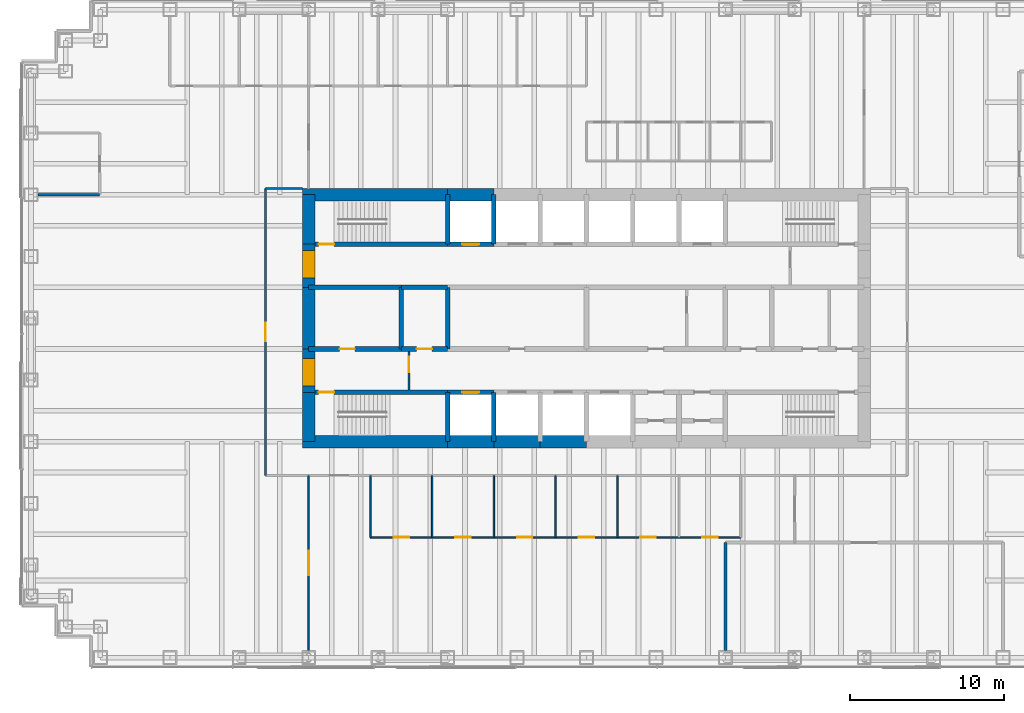
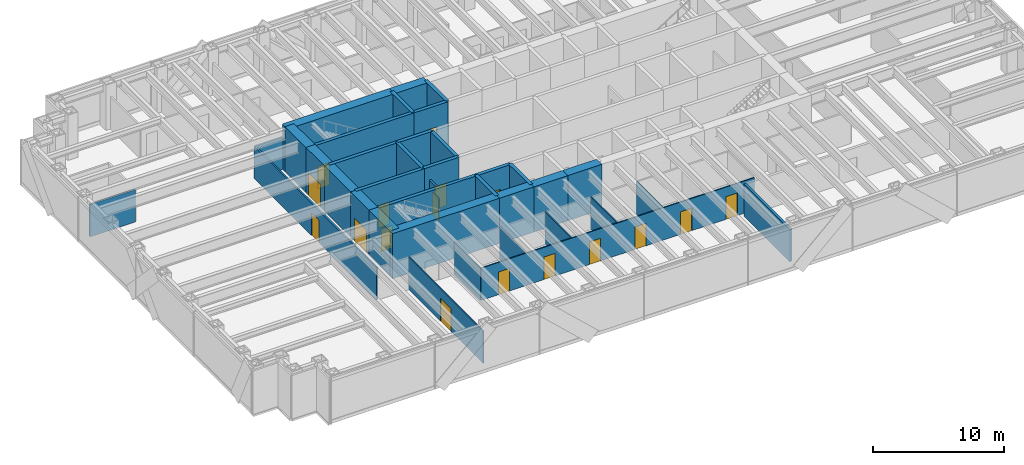
# One storey, part 10 of 14: 37 walls, 17 doors, 17 openings.
"""IFC4 building model written with IfcOpenShell, lengths in metres."""

from ifc_helpers import new_model, si_unit, direction, frame, frame_2d, origin, place, context, subcontext, project, spatial, rectangle, extrude, material, layer, layer_set, type_object, element, fill, save


model = new_model("IFC4")

# Units and contexts
model_context = context("Model", 3, precision=1e-05, world=origin(), true_north=direction((0.0, 1.0)))
body_context = subcontext(model_context, "Body", "Model", "MODEL_VIEW")
ifc_project = project(units=[si_unit("LENGTHUNIT", "METRE"), si_unit("AREAUNIT", "SQUARE_METRE"), si_unit("VOLUMEUNIT", "CUBIC_METRE"), si_unit("PLANEANGLEUNIT", "RADIAN"), si_unit("MASSUNIT", "GRAM", prefix="KILO")], contexts=[model_context])

# Site, building, storey
site_placement = place(None, origin())
site = spatial("IfcSite", under=ifc_project, at=site_placement, CompositionType="ELEMENT")
building_placement = place(site_placement, origin())
building = spatial("IfcBuilding", under=site, at=building_placement, Name="Rheinbord Bourse Tower", CompositionType="ELEMENT")
storey_placement = place(building_placement, frame((0.0, 0.0, 253.0)))
storey = spatial("IfcBuildingStorey", under=building, at=storey_placement, Name="L57", CompositionType="ELEMENT", Elevation=253.0)

# Wall
ifc_material_1 = material(Name="Acoustic gypsum board partition", Category="gypsum board")
ifc_layer_1 = layer(ifc_material_1, 0.199951171875)
ifc_layer_set_1 = layer_set([ifc_layer_1], Name="ACOUSTIC PARTITION 200")
wall_type_1 = type_object("IfcWallType", Name="ACOUSTIC PARTITION 200", PredefinedType="PARTITIONING", material=ifc_layer_set_1)
wall_1_placement = place(storey_placement, frame((45.0, 2.449951171875, 0.0), z_axis=(0.0, 0.0, 1.0), x_axis=(0.0, 1.0, 0.0)))
element("IfcWall", 1, at=wall_1_placement, inside=storey, type_object=wall_type_1, Name="Partition L57-37", PredefinedType="PARTITIONING", context=body_context, shape_type="SweptSolid", body=[
    extrude(rectangle(XDim=7.0, YDim=0.199951171875, at=frame_2d((3.5, 0.0))), origin(), (0.0, 0.0, 1.0), 3.0),
])

# Wall, opening, door
ifc_material_2 = material(Name="Concrete C50/60", Category="concrete")
ifc_layer_2 = layer(ifc_material_2, 0.300048828125)
ifc_layer_set_2 = layer_set([ifc_layer_2], Name="CORE INNER WALL 300")
wall_type_2 = type_object("IfcWallType", Name="CORE INNER WALL 300", PredefinedType="SOLIDWALL", material=ifc_layer_set_2)
wall_2_placement = place(storey_placement, frame((18.0, 19.199951171875, 0.0), z_axis=(0.0, 0.0, 1.0), x_axis=(1.0, 0.0, 0.0)))
wall_2 = element("IfcWall", 2, at=wall_2_placement, inside=storey, type_object=wall_type_2, Name="Core wall A1 L57", PredefinedType="SOLIDWALL", context=body_context, shape_type="SweptSolid", body=[
    extrude(rectangle(XDim=9.0, YDim=0.300048828125, at=frame_2d((4.5, 0.0))), origin(), (0.0, 0.0, 1.0), 4.199951171875),
])
opening_1_placement = place(wall_2_placement, frame((0.64990234375, 0.0, 0.0)))
opening_1 = element("IfcOpeningElement", 3, at=opening_1_placement, cuts=wall_2, Name="Opening 5710", PredefinedType="OPENING", context=body_context, shape_type="SweptSolid", body=[
    extrude(rectangle(XDim=1.0, YDim=2.10009765625, at=frame_2d((0.5, 1.050048828125))), frame((0.0, 0.159912109375, 0.0), z_axis=(0.0, -1.0, 0.0), x_axis=(1.0, 0.0, 0.0)), (0.0, 0.0, 1.0), 0.320068359375),
])
ifc_material_3 = material(Name="Steel door", Category="steel")
door_type_1 = type_object("IfcDoorType", Name="DOOR 1000 EI30", OperationType="SINGLE_SWING_LEFT", PredefinedType="DOOR", material=ifc_material_3)
door_1_placement = place(opening_1_placement, origin())
door_1 = element("IfcDoor", 4, at=door_1_placement, inside=storey, type_object=door_type_1, Name="Stair door ST1 L57", OperationType="SINGLE_SWING_LEFT", OverallHeight=2.10009765625, OverallWidth=1.0, PredefinedType="DOOR", context=body_context, shape_type="SweptSolid", body=[
    extrude(rectangle(XDim=1.0, YDim=2.10009765625, at=frame_2d((0.5, 1.050048828125))), frame((0.0, 0.02490234375, 0.0), z_axis=(0.0, -1.0, 0.0), x_axis=(1.0, 0.0, 0.0)), (0.0, 0.0, 1.0), 0.050048828125),
])
fill(opening_1, door_1)

wall_3_placement = place(storey_placement, frame((27.0, 19.199951171875, 0.0), z_axis=(0.0, 0.0, 1.0), x_axis=(1.0, 0.0, 0.0)))
wall_3 = element("IfcWall", 5, at=wall_3_placement, inside=storey, type_object=wall_type_2, Name="Core wall A2 L57", PredefinedType="SOLIDWALL", context=body_context, shape_type="SweptSolid", body=[
    extrude(rectangle(XDim=3.0, YDim=0.300048828125, at=frame_2d((1.5, 0.0))), origin(), (0.0, 0.0, 1.0), 4.199951171875),
])
opening_2_placement = place(wall_3_placement, frame((0.949951171875, 0.0, 0.0)))
opening_2 = element("IfcOpeningElement", 6, at=opening_2_placement, cuts=wall_3, Name="Opening FL1", PredefinedType="OPENING", context=body_context, shape_type="SweptSolid", body=[
    extrude(rectangle(XDim=1.10009765625, YDim=2.199951171875, at=frame_2d((0.550048828125, 1.10009765625))), frame((0.0, 0.159912109375, 0.0), z_axis=(0.0, -1.0, 0.0), x_axis=(1.0, 0.0, 0.0)), (0.0, 0.0, 1.0), 0.320068359375),
])
ifc_material_4 = material(Name="Steel landing door", Category="steel")
door_type_2 = type_object("IfcDoorType", Name="LIFT LANDING DOOR 1100", OperationType="DOUBLE_DOOR_SLIDING", PredefinedType="USERDEFINED", material=ifc_material_4)
door_2_placement = place(opening_2_placement, origin())
door_2 = element("IfcDoor", 7, at=door_2_placement, inside=storey, type_object=door_type_2, Name="Lift landing door FL1 L57", ObjectType="LIFT LANDING DOOR", OperationType="DOUBLE_DOOR_SLIDING", OverallHeight=2.199951171875, OverallWidth=1.10009765625, PredefinedType="USERDEFINED", context=body_context, shape_type="SweptSolid", body=[
    extrude(rectangle(XDim=1.10009765625, YDim=2.199951171875, at=frame_2d((0.550048828125, 1.10009765625))), frame((0.0, 0.02490234375, 0.0), z_axis=(0.0, -1.0, 0.0), x_axis=(1.0, 0.0, 0.0)), (0.0, 0.0, 1.0), 0.050048828125),
])
fill(opening_2, door_2)

wall_4_placement = place(storey_placement, frame((18.0, 28.800048828125, 0.0), z_axis=(0.0, 0.0, 1.0), x_axis=(1.0, 0.0, 0.0)))
wall_4 = element("IfcWall", 8, at=wall_4_placement, inside=storey, type_object=wall_type_2, Name="Core wall B1 L57", PredefinedType="SOLIDWALL", context=body_context, shape_type="SweptSolid", body=[
    extrude(rectangle(XDim=9.0, YDim=0.300048828125, at=frame_2d((4.5, 0.0))), origin(), (0.0, 0.0, 1.0), 4.199951171875),
])
opening_3_placement = place(wall_4_placement, frame((0.64990234375, 0.0, 0.0)))
opening_3 = element("IfcOpeningElement", 9, at=opening_3_placement, cuts=wall_4, Name="Opening 5720", PredefinedType="OPENING", context=body_context, shape_type="SweptSolid", body=[
    extrude(rectangle(XDim=1.0, YDim=2.10009765625, at=frame_2d((0.5, 1.050048828125))), frame((0.0, 0.159912109375, 0.0), z_axis=(0.0, -1.0, 0.0), x_axis=(1.0, 0.0, 0.0)), (0.0, 0.0, 1.0), 0.320068359375),
])
door_3_placement = place(opening_3_placement, origin())
door_3 = element("IfcDoor", 10, at=door_3_placement, inside=storey, type_object=door_type_1, Name="Stair door ST2 L57", OperationType="SINGLE_SWING_LEFT", OverallHeight=2.10009765625, OverallWidth=1.0, PredefinedType="DOOR", context=body_context, shape_type="SweptSolid", body=[
    extrude(rectangle(XDim=1.0, YDim=2.10009765625, at=frame_2d((0.5, 1.050048828125))), frame((0.0, 0.02490234375, 0.0), z_axis=(0.0, -1.0, 0.0), x_axis=(1.0, 0.0, 0.0)), (0.0, 0.0, 1.0), 0.050048828125),
])
fill(opening_3, door_3)

wall_5_placement = place(storey_placement, frame((27.0, 28.800048828125, 0.0), z_axis=(0.0, 0.0, 1.0), x_axis=(1.0, 0.0, 0.0)))
wall_5 = element("IfcWall", 11, at=wall_5_placement, inside=storey, type_object=wall_type_2, Name="Core wall B2 L57", PredefinedType="SOLIDWALL", context=body_context, shape_type="SweptSolid", body=[
    extrude(rectangle(XDim=3.0, YDim=0.300048828125, at=frame_2d((1.5, 0.0))), origin(), (0.0, 0.0, 1.0), 4.199951171875),
])
opening_4_placement = place(wall_5_placement, frame((0.949951171875, 0.0, 0.0)))
opening_4 = element("IfcOpeningElement", 12, at=opening_4_placement, cuts=wall_5, Name="Opening GL1", PredefinedType="OPENING", context=body_context, shape_type="SweptSolid", body=[
    extrude(rectangle(XDim=1.10009765625, YDim=2.199951171875, at=frame_2d((0.550048828125, 1.10009765625))), frame((0.0, 0.159912109375, 0.0), z_axis=(0.0, -1.0, 0.0), x_axis=(1.0, 0.0, 0.0)), (0.0, 0.0, 1.0), 0.320068359375),
])
door_4_placement = place(opening_4_placement, origin())
door_4 = element("IfcDoor", 13, at=door_4_placement, inside=storey, type_object=door_type_2, Name="Lift landing door GL1 L57", ObjectType="LIFT LANDING DOOR", OperationType="DOUBLE_DOOR_SLIDING", OverallHeight=2.199951171875, OverallWidth=1.10009765625, PredefinedType="USERDEFINED", context=body_context, shape_type="SweptSolid", body=[
    extrude(rectangle(XDim=1.10009765625, YDim=2.199951171875, at=frame_2d((0.550048828125, 1.10009765625))), frame((0.0, 0.02490234375, 0.0), z_axis=(0.0, -1.0, 0.0), x_axis=(1.0, 0.0, 0.0)), (0.0, 0.0, 1.0), 0.050048828125),
])
fill(opening_4, door_4)

wall_6_placement = place(storey_placement, frame((18.0, 22.0, 0.0), z_axis=(0.0, 0.0, 1.0), x_axis=(1.0, 0.0, 0.0)))
wall_6 = element("IfcWall", 14, at=wall_6_placement, inside=storey, type_object=wall_type_2, Name="Core wall C1 L57", PredefinedType="SOLIDWALL", context=body_context, shape_type="SweptSolid", body=[
    extrude(rectangle(XDim=6.0, YDim=0.300048828125, at=frame_2d((3.0, 0.0))), origin(), (0.0, 0.0, 1.0), 4.199951171875),
])
opening_5_placement = place(wall_6_placement, frame((2.0, 0.0, 0.0)))
opening_5 = element("IfcOpeningElement", 15, at=opening_5_placement, cuts=wall_6, Name="Opening 57R1", PredefinedType="OPENING", context=body_context, shape_type="SweptSolid", body=[
    extrude(rectangle(XDim=1.0, YDim=2.10009765625, at=frame_2d((0.5, 1.050048828125))), frame((0.0, 0.159912109375, 0.0), z_axis=(0.0, -1.0, 0.0), x_axis=(1.0, 0.0, 0.0)), (0.0, 0.0, 1.0), 0.320068359375),
])
ifc_material_5 = material(Name="Timber door", Category="wood")
door_type_3 = type_object("IfcDoorType", Name="DOOR 1000 WC", OperationType="SINGLE_SWING_LEFT", PredefinedType="DOOR", material=ifc_material_5)
door_5_placement = place(opening_5_placement, origin())
door_5 = element("IfcDoor", 16, at=door_5_placement, inside=storey, type_object=door_type_3, Name="WC men door L57", OperationType="SINGLE_SWING_LEFT", OverallHeight=2.10009765625, OverallWidth=1.0, PredefinedType="DOOR", context=body_context, shape_type="SweptSolid", body=[
    extrude(rectangle(XDim=1.0, YDim=2.10009765625, at=frame_2d((0.5, 1.050048828125))), frame((0.0, 0.02490234375, 0.0), z_axis=(0.0, -1.0, 0.0), x_axis=(1.0, 0.0, 0.0)), (0.0, 0.0, 1.0), 0.050048828125),
])
fill(opening_5, door_5)

wall_7_placement = place(storey_placement, frame((24.0, 22.0, 0.0), z_axis=(0.0, 0.0, 1.0), x_axis=(1.0, 0.0, 0.0)))
wall_7 = element("IfcWall", 17, at=wall_7_placement, inside=storey, type_object=wall_type_2, Name="Core wall C2 L57", PredefinedType="SOLIDWALL", context=body_context, shape_type="SweptSolid", body=[
    extrude(rectangle(XDim=3.0, YDim=0.300048828125, at=frame_2d((1.5, 0.0))), origin(), (0.0, 0.0, 1.0), 4.199951171875),
])
opening_6_placement = place(wall_7_placement, frame((1.0, 0.0, 0.0)))
opening_6 = element("IfcOpeningElement", 18, at=opening_6_placement, cuts=wall_7, Name="Opening 57R2", PredefinedType="OPENING", context=body_context, shape_type="SweptSolid", body=[
    extrude(rectangle(XDim=1.0, YDim=2.10009765625, at=frame_2d((0.5, 1.050048828125))), frame((0.0, 0.159912109375, 0.0), z_axis=(0.0, -1.0, 0.0), x_axis=(1.0, 0.0, 0.0)), (0.0, 0.0, 1.0), 0.320068359375),
])
door_6_placement = place(opening_6_placement, origin())
door_6 = element("IfcDoor", 19, at=door_6_placement, inside=storey, type_object=door_type_1, Name="First aid room door L57", OperationType="SINGLE_SWING_LEFT", OverallHeight=2.10009765625, OverallWidth=1.0, PredefinedType="DOOR", context=body_context, shape_type="SweptSolid", body=[
    extrude(rectangle(XDim=1.0, YDim=2.10009765625, at=frame_2d((0.5, 1.050048828125))), frame((0.0, 0.02490234375, 0.0), z_axis=(0.0, -1.0, 0.0), x_axis=(1.0, 0.0, 0.0)), (0.0, 0.0, 1.0), 0.050048828125),
])
fill(opening_6, door_6)

# Walls
wall_8_placement = place(storey_placement, frame((18.0, 26.0, 0.0), z_axis=(0.0, 0.0, 1.0), x_axis=(1.0, 0.0, 0.0)))
element("IfcWall", 20, at=wall_8_placement, inside=storey, type_object=wall_type_2, Name="Core wall D1 L57", PredefinedType="SOLIDWALL", context=body_context, shape_type="SweptSolid", body=[
    extrude(rectangle(XDim=6.0, YDim=0.300048828125, at=frame_2d((3.0, 0.0))), origin(), (0.0, 0.0, 1.0), 4.199951171875),
])
wall_9_placement = place(storey_placement, frame((24.0, 26.0, 0.0), z_axis=(0.0, 0.0, 1.0), x_axis=(1.0, 0.0, 0.0)))
element("IfcWall", 21, at=wall_9_placement, inside=storey, type_object=wall_type_2, Name="Core wall D2 L57", PredefinedType="SOLIDWALL", context=body_context, shape_type="SweptSolid", body=[
    extrude(rectangle(XDim=3.0, YDim=0.300048828125, at=frame_2d((1.5, 0.0))), origin(), (0.0, 0.0, 1.0), 4.199951171875),
])
for number, where, z_axis, x_axis, name in (
    (22, (27.0, 16.0, 0.0), (0.0, 0.0, 1.0), (0.0, 1.0, 0.0), "Core wall SX27 L57"),
    (23, (27.0, 28.800048828125, 0.0), (0.0, 0.0, 1.0), (0.0, 1.0, 0.0), "Core wall NX27 L57"),
    (24, (30.0, 16.0, 0.0), (0.0, 0.0, 1.0), (0.0, 1.0, 0.0), "Core wall SX30 L57"),
    (25, (30.0, 28.800048828125, 0.0), (0.0, 0.0, 1.0), (0.0, 1.0, 0.0), "Core wall NX30 L57"),
):
    element("IfcWall", number, at=place(storey_placement, frame(where, z_axis=z_axis, x_axis=x_axis)), inside=storey, type_object=wall_type_2, Name=name, PredefinedType="SOLIDWALL", context=body_context, shape_type="SweptSolid", body=[
        extrude(rectangle(XDim=3.199951171875, YDim=0.300048828125, at=frame_2d((1.60009765625, 0.0))), origin(), (0.0, 0.0, 1.0), 4.199951171875),
    ])
for number, where, z_axis, x_axis, name in (
    (26, (24.0, 22.0, 0.0), (0.0, 0.0, 1.0), (0.0, 1.0, 0.0), "Core wall MX24 L57"),
    (27, (27.0, 22.0, 0.0), (0.0, 0.0, 1.0), (0.0, 1.0, 0.0), "Core wall MX27 L57"),
):
    element("IfcWall", number, at=place(storey_placement, frame(where, z_axis=z_axis, x_axis=x_axis)), inside=storey, type_object=wall_type_2, Name=name, PredefinedType="SOLIDWALL", context=body_context, shape_type="SweptSolid", body=[
        extrude(rectangle(XDim=4.0, YDim=0.300048828125, at=frame_2d((2.0, 0.0))), origin(), (0.0, 0.0, 1.0), 4.199951171875),
    ])

# Wall, opening, door
ifc_material_6 = material(Name="Gypsum board fire partition", Category="gypsum board")
ifc_layer_3 = layer(ifc_material_6, 0.14990234375)
ifc_layer_set_3 = layer_set([ifc_layer_3], Name="CORE PARTITION 150 EI30")
wall_type_3 = type_object("IfcWallType", Name="CORE PARTITION 150 EI30", PredefinedType="PARTITIONING", material=ifc_layer_set_3)
wall_10_placement = place(storey_placement, frame((24.5, 19.35009765625, 0.0), z_axis=(0.0, 0.0, 1.0), x_axis=(0.0, 1.0, 0.0)))
wall_10 = element("IfcWall", 28, at=wall_10_placement, inside=storey, type_object=wall_type_3, Name="Core partition L57-4", PredefinedType="PARTITIONING", context=body_context, shape_type="SweptSolid", body=[
    extrude(rectangle(XDim=2.5, YDim=0.14990234375, at=frame_2d((1.25, 0.0))), origin(), (0.0, 0.0, 1.0), 3.0),
])
opening_7_placement = place(wall_10_placement, frame((1.14990234375, 0.0, 0.0)))
opening_7 = element("IfcOpeningElement", 29, at=opening_7_placement, cuts=wall_10, Name="Opening 57L5", PredefinedType="OPENING", context=body_context, shape_type="SweptSolid", body=[
    extrude(rectangle(XDim=1.0, YDim=2.10009765625, at=frame_2d((0.5, 1.050048828125))), frame((0.0, 0.0849609375, 0.0), z_axis=(0.0, -1.0, 0.0), x_axis=(1.0, 0.0, 0.0)), (0.0, 0.0, 1.0), 0.169921875),
])
door_7_placement = place(opening_7_placement, origin())
door_7 = element("IfcDoor", 30, at=door_7_placement, inside=storey, type_object=door_type_1, Name="Stair lobby door L57", OperationType="SINGLE_SWING_RIGHT", OverallHeight=2.10009765625, OverallWidth=1.0, PredefinedType="DOOR", context=body_context, shape_type="SweptSolid", body=[
    extrude(rectangle(XDim=1.0, YDim=2.10009765625, at=frame_2d((0.5, 1.050048828125))), frame((0.0, 0.02490234375, 0.0), z_axis=(0.0, -1.0, 0.0), x_axis=(1.0, 0.0, 0.0)), (0.0, 0.0, 1.0), 0.050048828125),
])
fill(opening_7, door_7)

# Walls
ifc_material_7 = material(Name="Concrete C50/60", Category="concrete")
ifc_layer_4 = layer(ifc_material_7, 0.800048828125)
ifc_layer_set_4 = layer_set([ifc_layer_4], Name="CORE WALL 800")
wall_type_4 = type_object("IfcWallType", Name="CORE WALL 800", PredefinedType="SHEAR", material=ifc_layer_set_4)
wall_11_placement = place(storey_placement, frame((17.60009765625, 16.0, 0.0), z_axis=(0.0, 0.0, 1.0), x_axis=(1.0, 0.0, 0.0)))
element("IfcWall", 31, at=wall_11_placement, inside=storey, type_object=wall_type_4, Name="Core wall S1 L57", PredefinedType="SHEAR", context=body_context, shape_type="SweptSolid", body=[
    extrude(rectangle(XDim=9.39990234375, YDim=0.800048828125, at=frame_2d((4.699951171875, 0.0))), origin(), (0.0, 0.0, 1.0), 4.199951171875),
])
for number, where, z_axis, x_axis, name in (
    (32, (27.0, 16.0, 0.0), (0.0, 0.0, 1.0), (1.0, 0.0, 0.0), "Core wall S2 L57"),
    (33, (30.0, 16.0, 0.0), (0.0, 0.0, 1.0), (1.0, 0.0, 0.0), "Core wall S3 L57"),
    (34, (33.0, 16.0, 0.0), (0.0, 0.0, 1.0), (1.0, 0.0, 0.0), "Core wall S4 L57"),
    (35, (30.0, 32.0, 0.0), (0.0, 0.0, 1.0), (-1.0, 0.0, 0.0), "Core wall N7 L57"),
):
    element("IfcWall", number, at=place(storey_placement, frame(where, z_axis=z_axis, x_axis=x_axis)), inside=storey, type_object=wall_type_4, Name=name, PredefinedType="SHEAR", context=body_context, shape_type="SweptSolid", body=[
        extrude(rectangle(XDim=3.0, YDim=0.800048828125, at=frame_2d((1.5, 0.0))), origin(), (0.0, 0.0, 1.0), 4.199951171875),
    ])
wall_12_placement = place(storey_placement, frame((27.0, 32.0, 0.0), z_axis=(0.0, 0.0, 1.0), x_axis=(-1.0, 0.0, 0.0)))
element("IfcWall", 36, at=wall_12_placement, inside=storey, type_object=wall_type_4, Name="Core wall N8 L57", PredefinedType="SHEAR", context=body_context, shape_type="SweptSolid", body=[
    extrude(rectangle(XDim=9.39990234375, YDim=0.800048828125, at=frame_2d((4.699951171875, 0.0))), origin(), (0.0, 0.0, 1.0), 4.199951171875),
])
wall_13_placement = place(storey_placement, frame((18.0, 32.0, 0.0), z_axis=(0.0, 0.0, 1.0), x_axis=(0.0, -1.0, 0.0)))
element("IfcWall", 37, at=wall_13_placement, inside=storey, type_object=wall_type_4, Name="Core wall W1 L57", PredefinedType="SHEAR", context=body_context, shape_type="SweptSolid", body=[
    extrude(rectangle(XDim=3.199951171875, YDim=0.800048828125, at=frame_2d((1.60009765625, 0.0))), origin(), (0.0, 0.0, 1.0), 4.199951171875),
])

# Wall, opening, door
wall_14_placement = place(storey_placement, frame((18.0, 28.800048828125, 0.0), z_axis=(0.0, 0.0, 1.0), x_axis=(0.0, -1.0, 0.0)))
wall_14 = element("IfcWall", 38, at=wall_14_placement, inside=storey, type_object=wall_type_4, Name="Core wall W2 L57", PredefinedType="SHEAR", context=body_context, shape_type="SweptSolid", body=[
    extrude(rectangle(XDim=2.800048828125, YDim=0.800048828125, at=frame_2d((1.39990234375, 0.0))), origin(), (0.0, 0.0, 1.0), 4.199951171875),
])
opening_8_placement = place(wall_14_placement, frame((0.39990234375, 0.0, 0.0)))
opening_8 = element("IfcOpeningElement", 39, at=opening_8_placement, cuts=wall_14, Name="Opening 57L2", PredefinedType="OPENING", context=body_context, shape_type="SweptSolid", body=[
    extrude(rectangle(XDim=1.800048828125, YDim=2.10009765625, at=frame_2d((0.89990234375, 1.050048828125))), frame((0.0, 0.409912109375, 0.0), z_axis=(0.0, -1.0, 0.0), x_axis=(1.0, 0.0, 0.0)), (0.0, 0.0, 1.0), 0.820068359375),
])
ifc_material_8 = material(Name="Steel door", Category="steel")
door_type_4 = type_object("IfcDoorType", Name="DOOR 1800 EI30 DOUBLE", OperationType="DOUBLE_DOOR_DOUBLE_SWING", PredefinedType="DOOR", material=ifc_material_8)
door_8_placement = place(opening_8_placement, origin())
door_8 = element("IfcDoor", 40, at=door_8_placement, inside=storey, type_object=door_type_4, Name="Lobby door 2 L57", OperationType="SINGLE_SWING_LEFT", OverallHeight=2.10009765625, OverallWidth=1.800048828125, PredefinedType="DOOR", context=body_context, shape_type="SweptSolid", body=[
    extrude(rectangle(XDim=1.800048828125, YDim=2.10009765625, at=frame_2d((0.89990234375, 1.050048828125))), frame((0.0, 0.39990234375, 0.0), z_axis=(0.0, -1.0, 0.0), x_axis=(1.0, 0.0, 0.0)), (0.0, 0.0, 1.0), 0.799560546875),
])
fill(opening_8, door_8)

# Wall
wall_15_placement = place(storey_placement, frame((18.0, 26.0, 0.0), z_axis=(0.0, 0.0, 1.0), x_axis=(0.0, -1.0, 0.0)))
element("IfcWall", 41, at=wall_15_placement, inside=storey, type_object=wall_type_4, Name="Core wall W3 L57", PredefinedType="SHEAR", context=body_context, shape_type="SweptSolid", body=[
    extrude(rectangle(XDim=4.0, YDim=0.800048828125, at=frame_2d((2.0, 0.0))), origin(), (0.0, 0.0, 1.0), 4.199951171875),
])

# Wall, opening, door
wall_16_placement = place(storey_placement, frame((18.0, 22.0, 0.0), z_axis=(0.0, 0.0, 1.0), x_axis=(0.0, -1.0, 0.0)))
wall_16 = element("IfcWall", 42, at=wall_16_placement, inside=storey, type_object=wall_type_4, Name="Core wall W4 L57", PredefinedType="SHEAR", context=body_context, shape_type="SweptSolid", body=[
    extrude(rectangle(XDim=2.800048828125, YDim=0.800048828125, at=frame_2d((1.39990234375, 0.0))), origin(), (0.0, 0.0, 1.0), 4.199951171875),
])
opening_9_placement = place(wall_16_placement, frame((0.60009765625, 0.0, 0.0)))
opening_9 = element("IfcOpeningElement", 43, at=opening_9_placement, cuts=wall_16, Name="Opening 57L1", PredefinedType="OPENING", context=body_context, shape_type="SweptSolid", body=[
    extrude(rectangle(XDim=1.800048828125, YDim=2.10009765625, at=frame_2d((0.89990234375, 1.050048828125))), frame((0.0, 0.409912109375, 0.0), z_axis=(0.0, -1.0, 0.0), x_axis=(1.0, 0.0, 0.0)), (0.0, 0.0, 1.0), 0.820068359375),
])
door_9_placement = place(opening_9_placement, origin())
door_9 = element("IfcDoor", 44, at=door_9_placement, inside=storey, type_object=door_type_4, Name="Lobby door 1 L57", OperationType="SINGLE_SWING_LEFT", OverallHeight=2.10009765625, OverallWidth=1.800048828125, PredefinedType="DOOR", context=body_context, shape_type="SweptSolid", body=[
    extrude(rectangle(XDim=1.800048828125, YDim=2.10009765625, at=frame_2d((0.89990234375, 1.050048828125))), frame((0.0, 0.39990234375, 0.0), z_axis=(0.0, -1.0, 0.0), x_axis=(1.0, 0.0, 0.0)), (0.0, 0.0, 1.0), 0.799560546875),
])
fill(opening_9, door_9)

# Walls
wall_17_placement = place(storey_placement, frame((18.0, 19.199951171875, 0.0), z_axis=(0.0, 0.0, 1.0), x_axis=(0.0, -1.0, 0.0)))
element("IfcWall", 45, at=wall_17_placement, inside=storey, type_object=wall_type_4, Name="Core wall W5 L57", PredefinedType="SHEAR", context=body_context, shape_type="SweptSolid", body=[
    extrude(rectangle(XDim=3.199951171875, YDim=0.800048828125, at=frame_2d((1.60009765625, 0.0))), origin(), (0.0, 0.0, 1.0), 4.199951171875),
])
ifc_material_9 = material(Name="Gypsum board corridor partition", Category="gypsum board")
ifc_layer_5 = layer(ifc_material_9, 0.14990234375)
ifc_layer_set_5 = layer_set([ifc_layer_5], Name="CORRIDOR PARTITION 150 EI30")
wall_type_5 = type_object("IfcWallType", Name="CORRIDOR PARTITION 150 EI30", PredefinedType="PARTITIONING", material=ifc_layer_set_5)
wall_18_placement = place(storey_placement, frame((15.199951171875, 32.39990234375, 0.0), z_axis=(0.0, 0.0, 1.0), x_axis=(1.0, 0.0, 0.0)))
element("IfcWall", 46, at=wall_18_placement, inside=storey, type_object=wall_type_5, Name="Partition L57-08", PredefinedType="PARTITIONING", context=body_context, shape_type="SweptSolid", body=[
    extrude(rectangle(XDim=2.400146484375, YDim=0.14990234375, at=frame_2d((1.2001953125, 0.0))), origin(), (0.0, 0.0, 1.0), 3.0),
])

# Wall, opening, door
wall_19_placement = place(storey_placement, frame((15.199951171875, 13.800048828125, 0.0), z_axis=(0.0, 0.0, 1.0), x_axis=(0.0, 1.0, 0.0)))
wall_19 = element("IfcWall", 47, at=wall_19_placement, inside=storey, type_object=wall_type_5, Name="Partition L57-18", PredefinedType="PARTITIONING", context=body_context, shape_type="SweptSolid", body=[
    extrude(rectangle(XDim=18.599853515625, YDim=0.14990234375, at=frame_2d((9.2998046875, 0.0))), origin(), (0.0, 0.0, 1.0), 3.0),
])
opening_10_placement = place(wall_19_placement, frame((8.699951171875, 0.0, 0.0)))
opening_10 = element("IfcOpeningElement", 48, at=opening_10_placement, cuts=wall_19, Name="Opening 57D27", PredefinedType="OPENING", context=body_context, shape_type="SweptSolid", body=[
    extrude(rectangle(XDim=1.199951171875, YDim=2.10009765625, at=frame_2d((0.60009765625, 1.050048828125))), frame((0.0, 0.0849609375, 0.0), z_axis=(0.0, -1.0, 0.0), x_axis=(1.0, 0.0, 0.0)), (0.0, 0.0, 1.0), 0.169921875),
])
ifc_material_10 = material(Name="Timber fire door", Category="wood")
door_type_5 = type_object("IfcDoorType", Name="SUITE ENTRANCE DOOR 1200 EI30", OperationType="SINGLE_SWING_LEFT", PredefinedType="DOOR", material=ifc_material_10)
door_10_placement = place(opening_10_placement, origin())
door_10 = element("IfcDoor", 49, at=door_10_placement, inside=storey, type_object=door_type_5, Name="Suite entrance 1 door L57", OperationType="SINGLE_SWING_LEFT", OverallHeight=2.10009765625, OverallWidth=1.199951171875, PredefinedType="DOOR", context=body_context, shape_type="SweptSolid", body=[
    extrude(rectangle(XDim=1.199951171875, YDim=2.10009765625, at=frame_2d((0.60009765625, 1.050048828125))), frame((0.0, 0.02490234375, 0.0), z_axis=(0.0, -1.0, 0.0), x_axis=(1.0, 0.0, 0.0)), (0.0, 0.0, 1.0), 0.050048828125),
])
fill(opening_10, door_10)

# Wall, openings, doors
ifc_material_11 = material(Name="Toughened laminated glass partition", Category="glass")
ifc_layer_6 = layer(ifc_material_11, 0.10009765625)
ifc_layer_set_6 = layer_set([ifc_layer_6], Name="GLAZED PARTITION 100")
wall_type_6 = type_object("IfcWallType", Name="GLAZED PARTITION 100", PredefinedType="PARTITIONING", material=ifc_layer_set_6)
wall_20_placement = place(storey_placement, frame((22.0, 9.800048828125, 0.0), z_axis=(0.0, 0.0, 1.0), x_axis=(1.0, 0.0, 0.0)))
wall_20 = element("IfcWall", 50, at=wall_20_placement, inside=storey, type_object=wall_type_6, Name="Partition L57-02", PredefinedType="PARTITIONING", context=body_context, shape_type="SweptSolid", body=[
    extrude(rectangle(XDim=24.0, YDim=0.10009765625, at=frame_2d((12.0, 0.0))), origin(), (0.0, 0.0, 1.0), 3.0),
])
opening_11_placement = place(wall_20_placement, frame((1.5, 0.0, 0.0)))
opening_11 = element("IfcOpeningElement", 51, at=opening_11_placement, cuts=wall_20, Name="Opening 57D02", PredefinedType="OPENING", context=body_context, shape_type="SweptSolid", body=[
    extrude(rectangle(XDim=1.0, YDim=2.10009765625, at=frame_2d((0.5, 1.050048828125))), frame((0.0, 0.06005859375, 0.0), z_axis=(0.0, -1.0, 0.0), x_axis=(1.0, 0.0, 0.0)), (0.0, 0.0, 1.0), 0.1201171875),
])
opening_12_placement = place(wall_20_placement, frame((5.5, 0.0, 0.0)))
opening_12 = element("IfcOpeningElement", 52, at=opening_12_placement, cuts=wall_20, Name="Opening 57D03", PredefinedType="OPENING", context=body_context, shape_type="SweptSolid", body=[
    extrude(rectangle(XDim=1.0, YDim=2.10009765625, at=frame_2d((0.5, 1.050048828125))), frame((0.0, 0.06005859375, 0.0), z_axis=(0.0, -1.0, 0.0), x_axis=(1.0, 0.0, 0.0)), (0.0, 0.0, 1.0), 0.1201171875),
])
opening_13_placement = place(wall_20_placement, frame((9.5, 0.0, 0.0)))
opening_13 = element("IfcOpeningElement", 53, at=opening_13_placement, cuts=wall_20, Name="Opening 57D04", PredefinedType="OPENING", context=body_context, shape_type="SweptSolid", body=[
    extrude(rectangle(XDim=1.0, YDim=2.10009765625, at=frame_2d((0.5, 1.050048828125))), frame((0.0, 0.06005859375, 0.0), z_axis=(0.0, -1.0, 0.0), x_axis=(1.0, 0.0, 0.0)), (0.0, 0.0, 1.0), 0.1201171875),
])
opening_14_placement = place(wall_20_placement, frame((13.5, 0.0, 0.0)))
opening_14 = element("IfcOpeningElement", 54, at=opening_14_placement, cuts=wall_20, Name="Opening 57D05", PredefinedType="OPENING", context=body_context, shape_type="SweptSolid", body=[
    extrude(rectangle(XDim=1.0, YDim=2.10009765625, at=frame_2d((0.5, 1.050048828125))), frame((0.0, 0.06005859375, 0.0), z_axis=(0.0, -1.0, 0.0), x_axis=(1.0, 0.0, 0.0)), (0.0, 0.0, 1.0), 0.1201171875),
])
opening_15_placement = place(wall_20_placement, frame((17.5, 0.0, 0.0)))
opening_15 = element("IfcOpeningElement", 55, at=opening_15_placement, cuts=wall_20, Name="Opening 57D06", PredefinedType="OPENING", context=body_context, shape_type="SweptSolid", body=[
    extrude(rectangle(XDim=1.0, YDim=2.10009765625, at=frame_2d((0.5, 1.050048828125))), frame((0.0, 0.06005859375, 0.0), z_axis=(0.0, -1.0, 0.0), x_axis=(1.0, 0.0, 0.0)), (0.0, 0.0, 1.0), 0.1201171875),
])
opening_16_placement = place(wall_20_placement, frame((21.5, 0.0, 0.0)))
opening_16 = element("IfcOpeningElement", 56, at=opening_16_placement, cuts=wall_20, Name="Opening 57D07", PredefinedType="OPENING", context=body_context, shape_type="SweptSolid", body=[
    extrude(rectangle(XDim=1.0, YDim=2.10009765625, at=frame_2d((0.5, 1.050048828125))), frame((0.0, 0.06005859375, 0.0), z_axis=(0.0, -1.0, 0.0), x_axis=(1.0, 0.0, 0.0)), (0.0, 0.0, 1.0), 0.1201171875),
])
ifc_material_12 = material(Name="Timber door", Category="wood")
door_type_6 = type_object("IfcDoorType", Name="ROOM DOOR 1000", OperationType="SINGLE_SWING_LEFT", PredefinedType="DOOR", material=ifc_material_12)
door_11_placement = place(opening_11_placement, origin())
door_11 = element("IfcDoor", 57, at=door_11_placement, inside=storey, type_object=door_type_6, Name="Project room door L57", OperationType="SINGLE_SWING_LEFT", OverallHeight=2.10009765625, OverallWidth=1.0, PredefinedType="DOOR", context=body_context, shape_type="SweptSolid", body=[
    extrude(rectangle(XDim=1.0, YDim=2.10009765625, at=frame_2d((0.5, 1.050048828125))), frame((0.0, 0.02490234375, 0.0), z_axis=(0.0, -1.0, 0.0), x_axis=(1.0, 0.0, 0.0)), (0.0, 0.0, 1.0), 0.050048828125),
])
fill(opening_11, door_11)
door_12_placement = place(opening_12_placement, origin())
door_12 = element("IfcDoor", 58, at=door_12_placement, inside=storey, type_object=door_type_6, Name="Project room door L57", OperationType="SINGLE_SWING_LEFT", OverallHeight=2.10009765625, OverallWidth=1.0, PredefinedType="DOOR", context=body_context, shape_type="SweptSolid", body=[
    extrude(rectangle(XDim=1.0, YDim=2.10009765625, at=frame_2d((0.5, 1.050048828125))), frame((0.0, 0.02490234375, 0.0), z_axis=(0.0, -1.0, 0.0), x_axis=(1.0, 0.0, 0.0)), (0.0, 0.0, 1.0), 0.050048828125),
])
fill(opening_12, door_12)
door_13_placement = place(opening_13_placement, origin())
door_13 = element("IfcDoor", 59, at=door_13_placement, inside=storey, type_object=door_type_6, Name="Project room door L57", OperationType="SINGLE_SWING_LEFT", OverallHeight=2.10009765625, OverallWidth=1.0, PredefinedType="DOOR", context=body_context, shape_type="SweptSolid", body=[
    extrude(rectangle(XDim=1.0, YDim=2.10009765625, at=frame_2d((0.5, 1.050048828125))), frame((0.0, 0.02490234375, 0.0), z_axis=(0.0, -1.0, 0.0), x_axis=(1.0, 0.0, 0.0)), (0.0, 0.0, 1.0), 0.050048828125),
])
fill(opening_13, door_13)
door_14_placement = place(opening_14_placement, origin())
door_14 = element("IfcDoor", 60, at=door_14_placement, inside=storey, type_object=door_type_6, Name="Project room door L57", OperationType="SINGLE_SWING_RIGHT", OverallHeight=2.10009765625, OverallWidth=1.0, PredefinedType="DOOR", context=body_context, shape_type="SweptSolid", body=[
    extrude(rectangle(XDim=1.0, YDim=2.10009765625, at=frame_2d((0.5, 1.050048828125))), frame((0.0, 0.02490234375, 0.0), z_axis=(0.0, -1.0, 0.0), x_axis=(1.0, 0.0, 0.0)), (0.0, 0.0, 1.0), 0.050048828125),
])
fill(opening_14, door_14)
door_15_placement = place(opening_15_placement, origin())
door_15 = element("IfcDoor", 61, at=door_15_placement, inside=storey, type_object=door_type_6, Name="Project room door L57", OperationType="SINGLE_SWING_RIGHT", OverallHeight=2.10009765625, OverallWidth=1.0, PredefinedType="DOOR", context=body_context, shape_type="SweptSolid", body=[
    extrude(rectangle(XDim=1.0, YDim=2.10009765625, at=frame_2d((0.5, 1.050048828125))), frame((0.0, 0.02490234375, 0.0), z_axis=(0.0, -1.0, 0.0), x_axis=(1.0, 0.0, 0.0)), (0.0, 0.0, 1.0), 0.050048828125),
])
fill(opening_15, door_15)
door_16_placement = place(opening_16_placement, origin())
door_16 = element("IfcDoor", 62, at=door_16_placement, inside=storey, type_object=door_type_6, Name="Project room door L57", OperationType="SINGLE_SWING_RIGHT", OverallHeight=2.10009765625, OverallWidth=1.0, PredefinedType="DOOR", context=body_context, shape_type="SweptSolid", body=[
    extrude(rectangle(XDim=1.0, YDim=2.10009765625, at=frame_2d((0.5, 1.050048828125))), frame((0.0, 0.02490234375, 0.0), z_axis=(0.0, -1.0, 0.0), x_axis=(1.0, 0.0, 0.0)), (0.0, 0.0, 1.0), 0.050048828125),
])
fill(opening_16, door_16)

# Wall, opening, door
wall_21_placement = place(storey_placement, frame((18.0, 2.449951171875, 0.0), z_axis=(0.0, 0.0, 1.0), x_axis=(0.0, 1.0, 0.0)))
wall_21 = element("IfcWall", 63, at=wall_21_placement, inside=storey, type_object=wall_type_6, Name="Partition L57-19", PredefinedType="PARTITIONING", context=body_context, shape_type="SweptSolid", body=[
    extrude(rectangle(XDim=11.35009765625, YDim=0.10009765625, at=frame_2d((5.675048828125, 0.0))), origin(), (0.0, 0.0, 1.0), 3.0),
])
opening_17_placement = place(wall_21_placement, frame((4.875, 0.0, 0.0)))
opening_17 = element("IfcOpeningElement", 64, at=opening_17_placement, cuts=wall_21, Name="Opening 57D23", PredefinedType="OPENING", context=body_context, shape_type="SweptSolid", body=[
    extrude(rectangle(XDim=1.60009765625, YDim=2.10009765625, at=frame_2d((0.800048828125, 1.050048828125))), frame((0.0, 0.06005859375, 0.0), z_axis=(0.0, -1.0, 0.0), x_axis=(1.0, 0.0, 0.0)), (0.0, 0.0, 1.0), 0.1201171875),
])
ifc_material_13 = material(Name="Timber door", Category="wood")
door_type_7 = type_object("IfcDoorType", Name="DOUBLE ROOM DOOR 1600", OperationType="DOUBLE_DOOR_DOUBLE_SWING", PredefinedType="DOOR", material=ifc_material_13)
door_17_placement = place(opening_17_placement, origin())
door_17 = element("IfcDoor", 65, at=door_17_placement, inside=storey, type_object=door_type_7, Name="Open area door L57", OperationType="SINGLE_SWING_LEFT", OverallHeight=2.10009765625, OverallWidth=1.60009765625, PredefinedType="DOOR", context=body_context, shape_type="SweptSolid", body=[
    extrude(rectangle(XDim=1.60009765625, YDim=2.10009765625, at=frame_2d((0.800048828125, 1.050048828125))), frame((0.0, 0.02490234375, 0.0), z_axis=(0.0, -1.0, 0.0), x_axis=(1.0, 0.0, 0.0)), (0.0, 0.0, 1.0), 0.050048828125),
])
fill(opening_17, door_17)

# Walls
for number, where, z_axis, x_axis, name in (
    (66, (22.0, 9.800048828125, 0.0), (0.0, 0.0, 1.0), (0.0, 1.0, 0.0), "Partition L57-22"),
    (67, (26.0, 9.800048828125, 0.0), (0.0, 0.0, 1.0), (0.0, 1.0, 0.0), "Partition L57-24"),
    (68, (30.0, 9.800048828125, 0.0), (0.0, 0.0, 1.0), (0.0, 1.0, 0.0), "Partition L57-26"),
    (69, (34.0, 9.800048828125, 0.0), (0.0, 0.0, 1.0), (0.0, 1.0, 0.0), "Partition L57-28"),
    (70, (38.0, 9.800048828125, 0.0), (0.0, 0.0, 1.0), (0.0, 1.0, 0.0), "Partition L57-31"),
):
    element("IfcWall", number, at=place(storey_placement, frame(where, z_axis=z_axis, x_axis=x_axis)), inside=storey, type_object=wall_type_6, Name=name, PredefinedType="PARTITIONING", context=body_context, shape_type="SweptSolid", body=[
        extrude(rectangle(XDim=4.0, YDim=0.10009765625, at=frame_2d((2.0, 0.0))), origin(), (0.0, 0.0, 1.0), 3.0),
    ])
ifc_material_14 = material(Name="Gypsum board partition", Category="gypsum board")
ifc_layer_7 = layer(ifc_material_14, 0.14990234375)
ifc_layer_set_7 = layer_set([ifc_layer_7], Name="PARTITION 150")
wall_type_7 = type_object("IfcWallType", Name="PARTITION 150", PredefinedType="PARTITIONING", material=ifc_layer_set_7)
wall_22_placement = place(storey_placement, frame((0.449951171875, 32.0, 0.0), z_axis=(0.0, 0.0, 1.0), x_axis=(1.0, 0.0, 0.0)))
element("IfcWall", 71, at=wall_22_placement, inside=storey, type_object=wall_type_7, Name="Partition L57-07", PredefinedType="PARTITIONING", context=body_context, shape_type="SweptSolid", body=[
    extrude(rectangle(XDim=4.0, YDim=0.14990234375, at=frame_2d((2.0, 0.0))), origin(), (0.0, 0.0, 1.0), 3.0),
])

save(model, "model.ifc")
